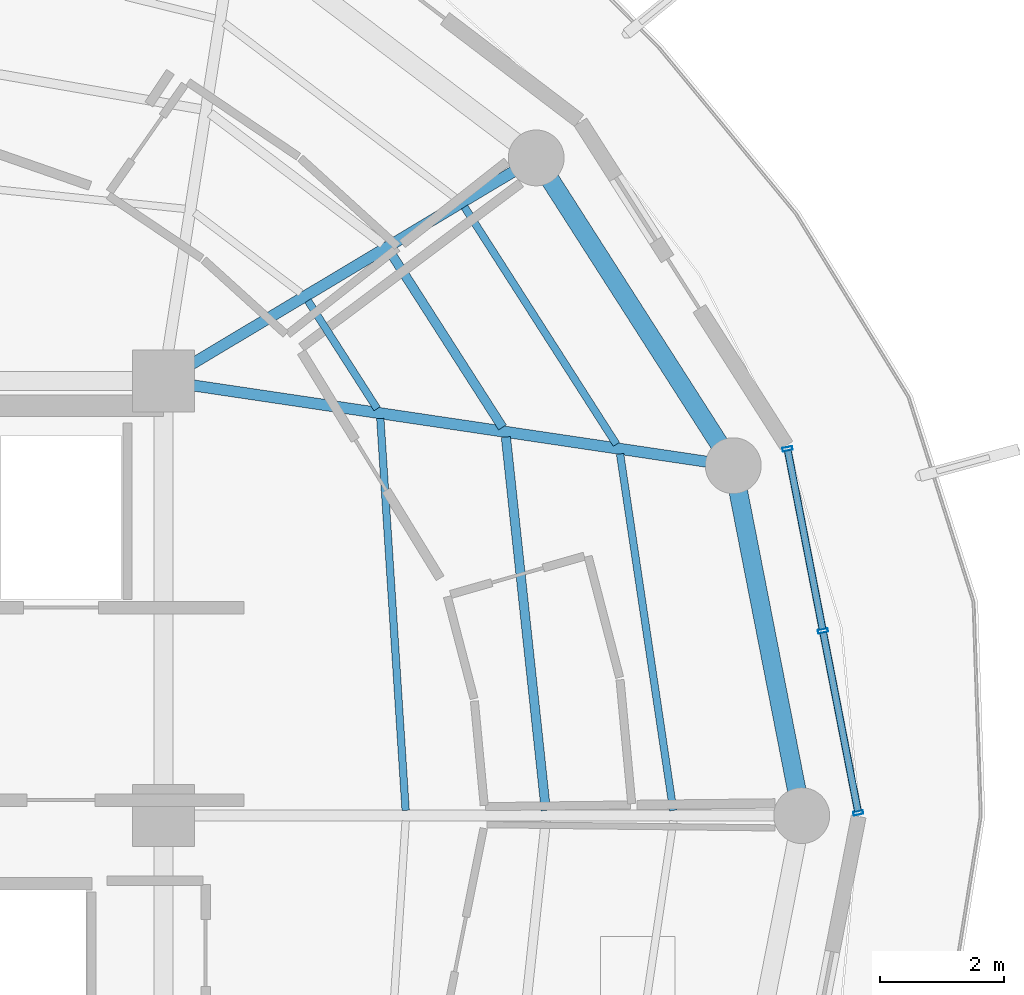
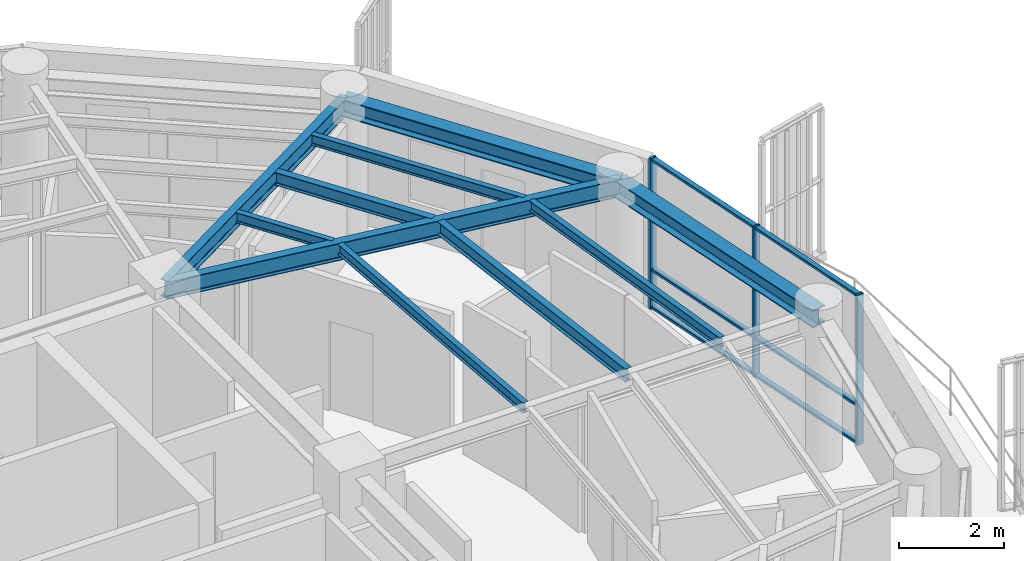
# One storey, part 11 of 23: 10 beams, 9 members, 1 element without a shape of its own.
"""IFC4 building model written with IfcOpenShell, lengths in metres."""

from ifc_helpers import new_model, si_unit, direction, frame, origin, origin_2d, place, context, subcontext, project, spatial, hollow_rectangle, i_section, extrude, material, layer, layer_set, material_profile, profile_set, type_object, element, aggregate, save


model = new_model("IFC4")

# Units and contexts
model_context = context("Model", 3, precision=1e-05, world=origin(), true_north=direction((0.0, 1.0)))
body_context = subcontext(model_context, "Body", "Model", "MODEL_VIEW")
ifc_project = project(units=[si_unit("LENGTHUNIT", "METRE"), si_unit("AREAUNIT", "SQUARE_METRE"), si_unit("VOLUMEUNIT", "CUBIC_METRE"), si_unit("PLANEANGLEUNIT", "RADIAN"), si_unit("MASSUNIT", "GRAM", prefix="KILO")], contexts=[model_context])

# Site, building, storey
site_placement = place(None, origin())
site = spatial("IfcSite", under=ifc_project, at=site_placement, CompositionType="ELEMENT")
building_placement = place(site_placement, origin())
building = spatial("IfcBuilding", under=site, at=building_placement, Name="Kelanora Arch Commons", CompositionType="ELEMENT")
storey_placement = place(building_placement, frame((0.0, 0.0, 256.199951171875)))
storey = spatial("IfcBuildingStorey", under=building, at=storey_placement, Name="L65", CompositionType="ELEMENT", Elevation=256.199951171875)

# Beams
ifc_material_1 = material(Name="Steel S355", Category="steel")
ifc_material_profile_1 = material_profile(ifc_material_1, i_section(OverallWidth=0.14990234375, OverallDepth=0.300048828125, WebThickness=0.007080078125, FlangeThickness=0.0107421875, FilletRadius=0.014892578125, at=origin_2d()), Name="IPE300")
ifc_profile_set_1 = profile_set([ifc_material_profile_1], Name="Steel S355")
beam_type_1 = type_object("IfcBeamType", Name="BM-JST-01", PredefinedType="JOIST", material=ifc_profile_set_1)
beam_1_placement = place(storey_placement, frame((88.158935546875, 58.08447265625, 3.340087890625), z_axis=(-0.106380594087, 0.994325484538, 0.0), x_axis=(-0.994325484538, -0.106380594087, 0.0)))
element("IfcBeam", 1, at=beam_1_placement, inside=storey, type_object=beam_type_1, Name="Secondary Chord Joist BJB-00 L65", PredefinedType="JOIST", context=body_context, shape_type="SweptSolid", body=[
    extrude(i_section(OverallWidth=0.14990234375, OverallDepth=0.300048828125, WebThickness=0.007080078125, FlangeThickness=0.0107421875, FilletRadius=0.014892578125, at=origin_2d()), origin(), (0.0, 0.0, 1.0), 6.04736328125),
])
beam_2_placement = place(storey_placement, frame((87.460693359375, 64.25341796875, 3.340087890625), z_axis=(-0.539321586177, 0.842099891155, 0.0), x_axis=(-0.842099891155, -0.539321586177, 0.0)))
element("IfcBeam", 2, at=beam_2_placement, inside=storey, type_object=beam_type_1, Name="Secondary Chord Joist BJB-02 L65", PredefinedType="JOIST", context=body_context, shape_type="SweptSolid", body=[
    extrude(i_section(OverallWidth=0.14990234375, OverallDepth=0.300048828125, WebThickness=0.007080078125, FlangeThickness=0.0107421875, FilletRadius=0.014892578125, at=origin_2d()), origin(), (0.0, 0.0, 1.0), 3.361572265625),
])
ifc_material_profile_2 = material_profile(ifc_material_1, i_section(OverallWidth=0.1201171875, OverallDepth=0.239990234375, WebThickness=0.006103515625, FlangeThickness=0.009765625, FilletRadius=0.014892578125, at=origin_2d()), Name="IPE240")
ifc_profile_set_2 = profile_set([ifc_material_profile_2], Name="Steel S355")
beam_type_2 = type_object("IfcBeamType", Name="BM-JST-02", PredefinedType="JOIST", material=ifc_profile_set_2)
beam_3_placement = place(storey_placement, frame((85.90087890625, 58.084716796875, 3.3701171875), z_axis=(-0.064495107978, 0.99791802321, 0.0), x_axis=(-0.99791802321, -0.064495107978, 0.0)))
element("IfcBeam", 3, at=beam_3_placement, inside=storey, type_object=beam_type_2, Name="Secondary Chord Joist BJA-00 L65", PredefinedType="JOIST", context=body_context, shape_type="SweptSolid", body=[
    extrude(i_section(OverallWidth=0.1201171875, OverallDepth=0.239990234375, WebThickness=0.006103515625, FlangeThickness=0.009765625, FilletRadius=0.014892578125, at=origin_2d()), origin(), (0.0, 0.0, 1.0), 6.325439453125),
])
beam_4_placement = place(storey_placement, frame((90.21142578125, 58.083984375, 3.3701171875), z_axis=(-0.14762470282, 0.989043450571, 0.0), x_axis=(-0.989043450571, -0.14762470282, 0.0)))
element("IfcBeam", 4, at=beam_4_placement, inside=storey, type_object=beam_type_2, Name="Secondary Chord Joist BJC-00 L65", PredefinedType="JOIST", context=body_context, shape_type="SweptSolid", body=[
    extrude(i_section(OverallWidth=0.1201171875, OverallDepth=0.239990234375, WebThickness=0.006103515625, FlangeThickness=0.009765625, FilletRadius=0.014892578125, at=origin_2d()), origin(), (0.0, 0.0, 1.0), 5.804931640625),
])
beam_5_placement = place(storey_placement, frame((85.441650390625, 64.553466796875, 3.3701171875), z_axis=(-0.539311810315, 0.842106152011, 0.0), x_axis=(-0.842106152011, -0.539311810315, 0.0)))
element("IfcBeam", 5, at=beam_5_placement, inside=storey, type_object=beam_type_2, Name="Secondary Chord Joist BJA-02 L65", PredefinedType="JOIST", context=body_context, shape_type="SweptSolid", body=[
    extrude(i_section(OverallWidth=0.1201171875, OverallDepth=0.239990234375, WebThickness=0.006103515625, FlangeThickness=0.009765625, FilletRadius=0.014892578125, at=origin_2d()), origin(), (0.0, 0.0, 1.0), 2.06640625),
])
beam_6_placement = place(storey_placement, frame((89.296142578125, 63.980712890625, 3.3701171875), z_axis=(-0.539288735289, 0.842120929552, 0.0), x_axis=(-0.842120929552, -0.539288735289, 0.0)))
element("IfcBeam", 6, at=beam_6_placement, inside=storey, type_object=beam_type_2, Name="Secondary Chord Joist BJC-02 L65", PredefinedType="JOIST", context=body_context, shape_type="SweptSolid", body=[
    extrude(i_section(OverallWidth=0.1201171875, OverallDepth=0.239990234375, WebThickness=0.006103515625, FlangeThickness=0.009765625, FilletRadius=0.014892578125, at=origin_2d()), origin(), (0.0, 0.0, 1.0), 4.538818359375),
])
ifc_material_profile_3 = material_profile(ifc_material_1, i_section(OverallWidth=0.179931640625, OverallDepth=0.39990234375, WebThickness=0.008544921875, FlangeThickness=0.013427734375, FilletRadius=0.02099609375, at=origin_2d()), Name="IPE400")
ifc_profile_set_3 = profile_set([ifc_material_profile_3], Name="Steel S355")
beam_type_3 = type_object("IfcBeamType", Name="BM-RAD-Z5", PredefinedType="BEAM", material=ifc_profile_set_3)
beam_7_placement = place(storey_placement, frame((82.0, 65.0, 3.2900390625), z_axis=(0.989142485564, -0.146959665395, 0.0), x_axis=(0.146959665395, 0.989142485564, 0.0)))
element("IfcBeam", 7, at=beam_7_placement, inside=storey, type_object=beam_type_3, Name="Radial Floor Girder BR-02 L65", PredefinedType="BEAM", context=body_context, shape_type="SweptSolid", body=[
    extrude(i_section(OverallWidth=0.179931640625, OverallDepth=0.39990234375, WebThickness=0.008544921875, FlangeThickness=0.013427734375, FilletRadius=0.02099609375, at=origin_2d()), origin(), (0.0, 0.0, 1.0), 9.2783203125),
])
beam_8_placement = place(storey_placement, frame((82.0, 65.0, 3.2900390625), z_axis=(0.858062005744, 0.513546097541, 0.0), x_axis=(-0.513546097541, 0.858062005744, 0.0)))
element("IfcBeam", 8, at=beam_8_placement, inside=storey, type_object=beam_type_3, Name="Radial Floor Girder BR-04 L65", PredefinedType="BEAM", context=body_context, shape_type="SweptSolid", body=[
    extrude(i_section(OverallWidth=0.179931640625, OverallDepth=0.39990234375, WebThickness=0.008544921875, FlangeThickness=0.013427734375, FilletRadius=0.02099609375, at=origin_2d()), origin(), (0.0, 0.0, 1.0), 6.99658203125),
])
ifc_material_profile_4 = material_profile(ifc_material_1, i_section(OverallWidth=0.300048828125, OverallDepth=0.39990234375, WebThickness=0.013427734375, FlangeThickness=0.02392578125, FilletRadius=0.027099609375, at=origin_2d()), Name="HEB400")
ifc_profile_set_4 = profile_set([ifc_material_profile_4], Name="Steel S355")
beam_type_4 = type_object("IfcBeamType", Name="BM-SPN-Z4", PredefinedType="SPANDREL", material=ifc_profile_set_4)
beam_9_placement = place(storey_placement, frame((92.280029296875, 58.0, 3.2900390625), z_axis=(-0.191969774604, 0.981400838413, 0.0), x_axis=(-0.981400838413, -0.191969774604, 0.0)))
element("IfcBeam", 9, at=beam_9_placement, inside=storey, type_object=beam_type_4, Name="Perimeter Spandrel Beam BS-00 L65", PredefinedType="SPANDREL", context=body_context, shape_type="SweptSolid", body=[
    extrude(i_section(OverallWidth=0.300048828125, OverallDepth=0.39990234375, WebThickness=0.013427734375, FlangeThickness=0.02392578125, FilletRadius=0.027099609375, at=origin_2d()), origin(), (0.0, 0.0, 1.0), 5.743408203125),
])
beam_10_placement = place(storey_placement, frame((91.177490234375, 63.636474609375, 3.2900390625), z_axis=(-0.539280851353, 0.842125978322, 0.0), x_axis=(-0.842125978322, -0.539280851353, 0.0)))
element("IfcBeam", 10, at=beam_10_placement, inside=storey, type_object=beam_type_4, Name="Perimeter Spandrel Beam BS-02 L65", PredefinedType="SPANDREL", context=body_context, shape_type="SweptSolid", body=[
    extrude(i_section(OverallWidth=0.300048828125, OverallDepth=0.39990234375, WebThickness=0.013427734375, FlangeThickness=0.02392578125, FilletRadius=0.027099609375, at=origin_2d()), origin(), (0.0, 0.0, 1.0), 5.8857421875),
])

# Curtain wall, members
ifc_material_2 = material(Name="Terracotta ceramic-fritted low-E glass and aluminium", Category="masonry")
ifc_layer = layer(ifc_material_2, 0.18994140625)
ifc_layer_set = layer_set([ifc_layer], Name="Terracotta ceramic-fritted low-E glass and aluminium")
curtain_wall_type = type_object("IfcCurtainWallType", Name="CW-SYS-03", PredefinedType="NOTDEFINED", material=ifc_layer_set)
curtain_wall_placement = place(storey_placement, origin())
curtain_wall = element("IfcCurtainWall", 11, at=curtain_wall_placement, inside=storey, type_object=curtain_wall_type, Name="Unitised Curtain Wall L65-B00", PredefinedType="NOTDEFINED")
ifc_material_3 = material(Name="Powder-coated aluminium terracotta", Category="masonry")
ifc_material_profile_5 = material_profile(ifc_material_3, hollow_rectangle(XDim=0.159912109375, YDim=0.06005859375, WallThickness=0.0048828125, InnerFilletRadius=0.0048828125, OuterFilletRadius=0.010009765625, at=origin_2d()), Name="CWM160x60")
ifc_profile_set_5 = profile_set([ifc_material_profile_5], Name="Powder-coated aluminium terracotta")
member_type_1 = type_object("IfcMemberType", Name="CWM-STD", PredefinedType="MULLION", material=ifc_profile_set_5)
member_1_placement = place(storey_placement, frame((93.19140625, 58.044189453125, 0.0), z_axis=(0.0, 0.0, 1.0), x_axis=(-0.981595542501, -0.190971701941, 0.0)))
member_1 = element("IfcMember", 12, at=member_1_placement, type_object=member_type_1, Name="CW-03 mullion 1", PredefinedType="MULLION", context=body_context, shape_type="SweptSolid", body=[
    extrude(hollow_rectangle(XDim=0.159912109375, YDim=0.06005859375, WallThickness=0.0048828125, InnerFilletRadius=0.0048828125, OuterFilletRadius=0.010009765625, at=origin_2d()), origin(), (0.0, 0.0, 1.0), 3.47509765625),
])
member_2_placement = place(storey_placement, frame((92.62109375, 60.9755859375, 0.0), z_axis=(0.0, 0.0, 1.0), x_axis=(-0.981595542501, -0.190971701941, 0.0)))
member_2 = element("IfcMember", 13, at=member_2_placement, type_object=member_type_1, Name="CW-03 mullion 2", PredefinedType="MULLION", context=body_context, shape_type="SweptSolid", body=[
    extrude(hollow_rectangle(XDim=0.159912109375, YDim=0.06005859375, WallThickness=0.0048828125, InnerFilletRadius=0.0048828125, OuterFilletRadius=0.010009765625, at=origin_2d()), origin(), (0.0, 0.0, 1.0), 3.47509765625),
])
member_3_placement = place(storey_placement, frame((92.05078125, 63.906982421875, 0.0), z_axis=(0.0, 0.0, 1.0), x_axis=(-0.981595542501, -0.190971701941, 0.0)))
member_3 = element("IfcMember", 14, at=member_3_placement, type_object=member_type_1, Name="CW-03 mullion 3", PredefinedType="MULLION", context=body_context, shape_type="SweptSolid", body=[
    extrude(hollow_rectangle(XDim=0.159912109375, YDim=0.06005859375, WallThickness=0.0048828125, InnerFilletRadius=0.0048828125, OuterFilletRadius=0.010009765625, at=origin_2d()), origin(), (0.0, 0.0, 1.0), 3.47509765625),
])
ifc_material_profile_6 = material_profile(ifc_material_3, hollow_rectangle(XDim=0.1201171875, YDim=0.06005859375, WallThickness=0.0048828125, InnerFilletRadius=0.0048828125, OuterFilletRadius=0.010009765625, at=origin_2d()), Name="CWT120x60")
ifc_profile_set_6 = profile_set([ifc_material_profile_6], Name="Powder-coated aluminium terracotta")
member_type_2 = type_object("IfcMemberType", Name="CWT-STD", PredefinedType="USERDEFINED", material=ifc_profile_set_6)
member_4_placement = place(storey_placement, frame((93.185546875, 58.073486328125, 0.030029296875), z_axis=(-0.190963443354, 0.981597149192, 0.0), x_axis=(-0.981597149192, -0.190963443354, 0.0)))
member_4 = element("IfcMember", 15, at=member_4_placement, type_object=member_type_2, Name="CW-03 transom 1.1", ObjectType="TRANSOM", PredefinedType="USERDEFINED", context=body_context, shape_type="SweptSolid", body=[
    extrude(hollow_rectangle(XDim=0.1201171875, YDim=0.06005859375, WallThickness=0.0048828125, InnerFilletRadius=0.0048828125, OuterFilletRadius=0.010009765625, at=origin_2d()), origin(), (0.0, 0.0, 1.0), 2.926513671875),
])
member_5_placement = place(storey_placement, frame((93.185546875, 58.073486328125, 0.900146484375), z_axis=(-0.190963443354, 0.981597149192, 0.0), x_axis=(-0.981597149192, -0.190963443354, 0.0)))
member_5 = element("IfcMember", 16, at=member_5_placement, type_object=member_type_2, Name="CW-03 transom 1.2", ObjectType="TRANSOM", PredefinedType="USERDEFINED", context=body_context, shape_type="SweptSolid", body=[
    extrude(hollow_rectangle(XDim=0.1201171875, YDim=0.06005859375, WallThickness=0.0048828125, InnerFilletRadius=0.0048828125, OuterFilletRadius=0.010009765625, at=origin_2d()), origin(), (0.0, 0.0, 1.0), 2.926513671875),
])
member_6_placement = place(storey_placement, frame((93.185546875, 58.073486328125, 3.445068359375), z_axis=(-0.190963443354, 0.981597149192, 0.0), x_axis=(-0.981597149192, -0.190963443354, 0.0)))
member_6 = element("IfcMember", 17, at=member_6_placement, type_object=member_type_2, Name="CW-03 transom 1.3", ObjectType="TRANSOM", PredefinedType="USERDEFINED", context=body_context, shape_type="SweptSolid", body=[
    extrude(hollow_rectangle(XDim=0.1201171875, YDim=0.06005859375, WallThickness=0.0048828125, InnerFilletRadius=0.0048828125, OuterFilletRadius=0.010009765625, at=origin_2d()), origin(), (0.0, 0.0, 1.0), 2.926513671875),
])
member_7_placement = place(storey_placement, frame((92.615234375, 61.005126953125, 0.030029296875), z_axis=(-0.190963443354, 0.981597149192, 0.0), x_axis=(-0.981597149192, -0.190963443354, 0.0)))
member_7 = element("IfcMember", 18, at=member_7_placement, type_object=member_type_2, Name="CW-03 transom 2.1", ObjectType="TRANSOM", PredefinedType="USERDEFINED", context=body_context, shape_type="SweptSolid", body=[
    extrude(hollow_rectangle(XDim=0.1201171875, YDim=0.06005859375, WallThickness=0.0048828125, InnerFilletRadius=0.0048828125, OuterFilletRadius=0.010009765625, at=origin_2d()), origin(), (0.0, 0.0, 1.0), 2.926513671875),
])
member_8_placement = place(storey_placement, frame((92.615234375, 61.005126953125, 0.900146484375), z_axis=(-0.190963443354, 0.981597149192, 0.0), x_axis=(-0.981597149192, -0.190963443354, 0.0)))
member_8 = element("IfcMember", 19, at=member_8_placement, type_object=member_type_2, Name="CW-03 transom 2.2", ObjectType="TRANSOM", PredefinedType="USERDEFINED", context=body_context, shape_type="SweptSolid", body=[
    extrude(hollow_rectangle(XDim=0.1201171875, YDim=0.06005859375, WallThickness=0.0048828125, InnerFilletRadius=0.0048828125, OuterFilletRadius=0.010009765625, at=origin_2d()), origin(), (0.0, 0.0, 1.0), 2.926513671875),
])
member_9_placement = place(storey_placement, frame((92.615234375, 61.005126953125, 3.445068359375), z_axis=(-0.190963443354, 0.981597149192, 0.0), x_axis=(-0.981597149192, -0.190963443354, 0.0)))
member_9 = element("IfcMember", 20, at=member_9_placement, type_object=member_type_2, Name="CW-03 transom 2.3", ObjectType="TRANSOM", PredefinedType="USERDEFINED", context=body_context, shape_type="SweptSolid", body=[
    extrude(hollow_rectangle(XDim=0.1201171875, YDim=0.06005859375, WallThickness=0.0048828125, InnerFilletRadius=0.0048828125, OuterFilletRadius=0.010009765625, at=origin_2d()), origin(), (0.0, 0.0, 1.0), 2.926513671875),
])
aggregate(curtain_wall, [member_1, member_2, member_3, member_4, member_5, member_6, member_7, member_8, member_9])

save(model, "model.ifc")
